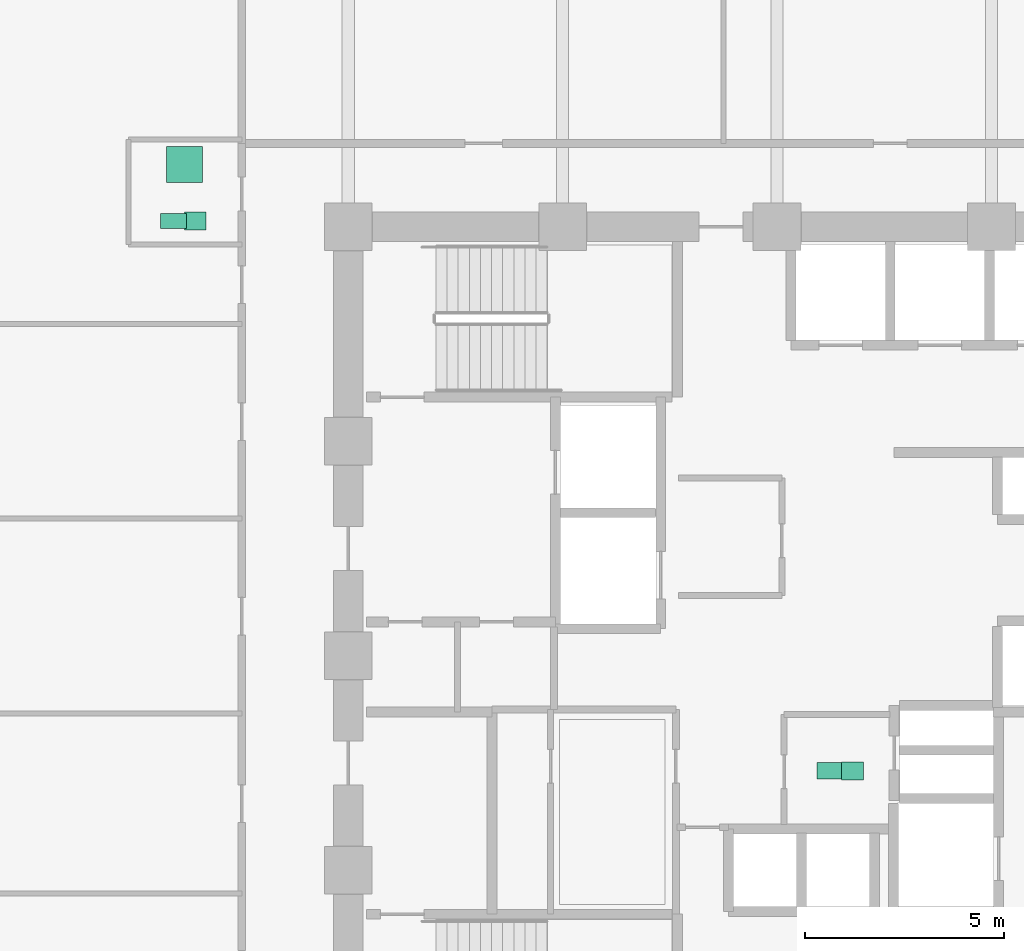
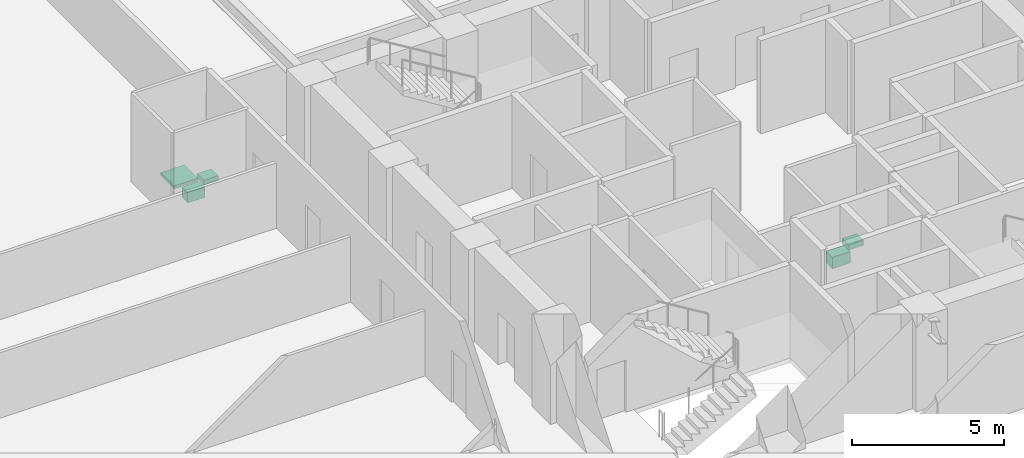
# One storey, part 25 of 25: 5 sanitary terminals.
"""IFC4 building model written with IfcOpenShell, lengths in metres."""

import ifcopenshell
import ifcopenshell.guid

model = None  # the IFC model being written
_history = None  # IfcOwnerHistory: only IFC2X3 demands one
_inside = {}  # id of a spatial element -> (the spatial element, [elements in it])
_under = {}  # id of a project, library or spatial element -> (it, [spatial elements below it])
_declared = {}  # id of a project -> (the project, [libraries it declares])
_typed = {}  # id of a type object -> (the type object, [elements of that type])
_made_of = {}  # id of a material, layer set ... -> (it, [elements and type objects made of it])


def new_model(schema):
    """Start an empty IFC model of exactly this schema.

    Asked for "IFC4X3", IfcOpenShell would pick the latest addendum, in which some entities
    have other attributes; the version numbers below select the first issue.
    IFC2X3 requires an IfcOwnerHistory on every rooted entity: one is made here for all.
    """
    global model, _history
    if schema == "IFC4X3":
        model = ifcopenshell.file(schema_version=(4, 3, 0, 0))
    else:
        model = ifcopenshell.file(schema=schema)
    _inside.clear()
    _under.clear()
    _declared.clear()
    _typed.clear()
    _made_of.clear()
    _history = None
    if model.schema == "IFC2X3":
        org = make("IfcOrganization", Name="unknown")
        user = make(
            "IfcPersonAndOrganization",
            ThePerson=make("IfcPerson", FamilyName="unknown"),
            TheOrganization=org,
        )
        app = make(
            "IfcApplication",
            ApplicationDeveloper=org,
            Version="unknown",
            ApplicationFullName="unknown",
            ApplicationIdentifier="unknown",
        )
        _history = make(
            "IfcOwnerHistory",
            OwningUser=user,
            OwningApplication=app,
            ChangeAction="ADDED",
            CreationDate=0,
        )
    return model


def make(cls, **values):
    """One entity of the class cls with the attributes given. An attribute that is None is left unset."""
    return model.create_entity(
        cls, **{name: value for name, value in values.items() if value is not None}
    )


def rooted(cls, **values):
    """An entity with a GlobalId (a new one), such as an element, a storey or a relation."""
    return make(cls, GlobalId=ifcopenshell.guid.new(), OwnerHistory=_history, **values)


def si_unit(unit_type, name, prefix=None):
    """IfcSIUnit, for example si_unit("LENGTHUNIT", "METRE", prefix="MILLI")."""
    return make("IfcSIUnit", UnitType=unit_type, Prefix=prefix, Name=name)


def assignment(units):
    """IfcUnitAssignment: the units of a project."""
    return None if units is None else make("IfcUnitAssignment", Units=units)


def point(xyz):
    """IfcCartesianPoint."""
    return None if xyz is None else make("IfcCartesianPoint", Coordinates=xyz)


def direction(xyz):
    """IfcDirection."""
    return None if xyz is None else make("IfcDirection", DirectionRatios=xyz)


def frame(location, z_axis=None, x_axis=None):
    """IfcAxis2Placement3D, a coordinate frame: its origin and axes. An axis left out is left unset."""
    return make(
        "IfcAxis2Placement3D",
        Location=point(location),
        Axis=direction(z_axis),
        RefDirection=direction(x_axis),
    )


def frame_2d(location, x_axis=None):
    """IfcAxis2Placement2D, a coordinate frame in the plane: its origin and x axis."""
    return make(
        "IfcAxis2Placement2D", Location=point(location), RefDirection=direction(x_axis)
    )


def origin():
    """The frame at (0, 0, 0) with its axes left unset."""
    return frame((0.0, 0.0, 0.0))


def origin_2d():
    """The frame at (0, 0) in the plane with its x axis left unset."""
    return frame_2d((0.0, 0.0))


def place(relative_to, where):
    """IfcLocalPlacement: puts the frame where relative to a parent placement (None: the world)."""
    return make(
        "IfcLocalPlacement", PlacementRelTo=relative_to, RelativePlacement=where
    )


def context(
    kind, dimensions, precision=None, world=None, true_north=None, identifier=None
):
    """IfcGeometricRepresentationContext, for example the 3D "Model" context."""
    return make(
        "IfcGeometricRepresentationContext",
        ContextIdentifier=identifier,
        ContextType=kind,
        CoordinateSpaceDimension=dimensions,
        Precision=precision,
        WorldCoordinateSystem=world,
        TrueNorth=true_north,
    )


def subcontext(parent, identifier, kind, view, scale=None):
    """IfcGeometricRepresentationSubContext, for example "Body" below "Model"."""
    return make(
        "IfcGeometricRepresentationSubContext",
        ContextIdentifier=identifier,
        ContextType=kind,
        ParentContext=parent,
        TargetScale=scale,
        TargetView=view,
    )


def project(units=None, contexts=None):
    """IfcProject with its units and contexts."""
    return rooted(
        "IfcProject",
        Name="project",
        RepresentationContexts=contexts,
        UnitsInContext=assignment(units),
    )


def spatial(cls, under=None, at=None, **own):
    """A site, building, storey or space (cls), placed at a placement, below another one or the project."""
    s = rooted(cls, ObjectPlacement=at, **own)
    if under is not None:
        _under.setdefault(under.id(), (under, []))[1].append(s)
    return s


def profile(cls, at=None, kind="AREA", **sizes):
    """A parametric profile (cls). Its sizes go by their IFC names, for example OverallWidth=200.0."""
    return make(cls, ProfileType=kind, Position=at, **sizes)


def rectangle(**sizes):
    """IfcRectangleProfileDef."""
    return profile("IfcRectangleProfileDef", **sizes)


def extrude(swept, where, along, depth):
    """IfcExtrudedAreaSolid: the profile swept, set in the frame where, extruded along a direction by depth."""
    return make(
        "IfcExtrudedAreaSolid",
        SweptArea=swept,
        Position=where,
        ExtrudedDirection=direction(along),
        Depth=depth,
    )


def shape(context_of_items, identifier, shape_type, items):
    """IfcShapeRepresentation: the items that make up one representation, for example the "Body"."""
    return make(
        "IfcShapeRepresentation",
        ContextOfItems=context_of_items,
        RepresentationIdentifier=identifier,
        RepresentationType=shape_type,
        Items=items,
    )


def material(Name=None, Category=None):
    """IfcMaterial."""
    return make("IfcMaterial", Name=Name, Category=Category)


def made_of(thing, what):
    """Note that an element or type object is made of a material, layer set ...; save() writes the relation."""
    if what is not None:
        _made_of.setdefault(what.id(), (what, []))[1].append(thing)
    return thing


def type_object(cls, material=None, **own):
    """A type object (cls), such as IfcWallType, which elements share."""
    return made_of(rooted(cls, **own), material)


def element(
    cls,
    number,
    at=None,
    inside=None,
    cuts=None,
    type_object=None,
    material=None,
    context=None,
    identifier="Body",
    shape_type=None,
    held_by="IfcProductDefinitionShape",
    body=None,
    shapes=None,
    **own,
):
    """One element of the class cls, such as IfcWall. Its Tag is "e" and its number.

    at: its placement. inside: the storey or other place that contains it. cuts: it is an
    opening in that element (IfcRelVoidsElement). A single representation is given by context,
    identifier, shape_type and body (its items); several are given by shapes. held_by: the class
    of the entity that holds the representations. save() writes the other relations.
    """
    e = rooted(cls, Tag="e%d" % number, ObjectPlacement=at, **own)
    if body is not None:
        shapes = [shape(context, identifier, shape_type, body)]
    if shapes is not None:
        e.Representation = make(held_by, Representations=shapes)
    if inside is not None:
        _inside.setdefault(inside.id(), (inside, []))[1].append(e)
    if cuts is not None:
        rooted(
            "IfcRelVoidsElement", RelatingBuildingElement=cuts, RelatedOpeningElement=e
        )
    if type_object is not None:
        _typed.setdefault(type_object.id(), (type_object, []))[1].append(e)
    return made_of(e, material)


def aggregate(whole, parts):
    """IfcRelAggregates: a whole, such as a stair, and the parts it consists of."""
    return rooted("IfcRelAggregates", RelatingObject=whole, RelatedObjects=parts)


def save(model, path):
    """Write the relations noted so far, then the file.

    IfcRelAggregates (storeys below a building ...), IfcRelContainedInSpatialStructure (elements
    in a storey), IfcRelDefinesByType, IfcRelAssociatesMaterial and IfcRelDeclares: one each for
    every whole, place, type object, material and project.
    """
    for whole, parts in _under.values():
        aggregate(whole, parts)
    for where, things in _inside.values():
        rooted(
            "IfcRelContainedInSpatialStructure",
            RelatedElements=things,
            RelatingStructure=where,
        )
    for kind, things in _typed.values():
        rooted("IfcRelDefinesByType", RelatedObjects=things, RelatingType=kind)
    for what, things in _made_of.values():
        rooted("IfcRelAssociatesMaterial", RelatedObjects=things, RelatingMaterial=what)
    for by, libraries in _declared.values():
        rooted("IfcRelDeclares", RelatingContext=by, RelatedDefinitions=libraries)
    model.write(path)


model = new_model("IFC4")

# Units and contexts
model_context = context("Model", 3, precision=1e-05, world=origin(), true_north=direction((0.0, 1.0)))
body_context = subcontext(model_context, "Body", "Model", "MODEL_VIEW")
ifc_project = project(units=[si_unit("LENGTHUNIT", "METRE"), si_unit("AREAUNIT", "SQUARE_METRE"), si_unit("VOLUMEUNIT", "CUBIC_METRE"), si_unit("PLANEANGLEUNIT", "RADIAN"), si_unit("MASSUNIT", "GRAM", prefix="KILO")], contexts=[model_context])

# Site, building, storey
site_placement = place(None, origin())
site = spatial("IfcSite", under=ifc_project, at=site_placement, CompositionType="ELEMENT")
building_placement = place(site_placement, origin())
building = spatial("IfcBuilding", under=site, at=building_placement, Name="Surkhivell Harbour Commons", CompositionType="ELEMENT")
storey_placement = place(building_placement, frame((0.0, 0.0, 33.75)))
storey = spatial("IfcBuildingStorey", under=building, at=storey_placement, Name="L08", CompositionType="ELEMENT", Elevation=33.75)

# Sanitary terminals
ifc_material_1 = material(Name="Vitreous china washbasin", Category="other")
sanitary_terminal_type_1 = type_object("IfcSanitaryTerminalType", Name="SAN-BSN", PredefinedType="WASHHANDBASIN", material=ifc_material_1)
for number, where, z_axis, x_axis, name in (
    (1, (1.89990234375, -2.89990234375, 0.72021484375), (0.0, 0.0, 1.0), (1.0, 0.0, 0.0), "L08 Core Accessible WC Washbasin"),
    (2, (-14.64990234375, 10.949951171875, 0.72021484375), (0.0, 0.0, 1.0), (1.0, 0.0, 0.0), "L08 West Communal Bathroom WC Washbasin"),
):
    element("IfcSanitaryTerminal", number, at=place(storey_placement, frame(where, z_axis=z_axis, x_axis=x_axis)), inside=storey, type_object=sanitary_terminal_type_1, Name=name, PredefinedType="WASHHANDBASIN", context=body_context, shape_type="SweptSolid", body=[
        extrude(rectangle(XDim=0.550048828125, YDim=0.449951171875, at=origin_2d()), origin(), (0.0, 0.0, 1.0), 0.199951171875),
    ])
ifc_material_2 = material(Name="Glazed porcelain shower tray", Category="other")
sanitary_terminal_type_2 = type_object("IfcSanitaryTerminalType", Name="SAN-SHW", PredefinedType="SHOWER", material=ifc_material_2)
sanitary_terminal_1_placement = place(storey_placement, frame((-14.919921875, 12.3701171875, 0.0), z_axis=(0.0, 0.0, 1.0), x_axis=(1.0, 0.0, 0.0)))
element("IfcSanitaryTerminal", 3, at=sanitary_terminal_1_placement, inside=storey, type_object=sanitary_terminal_type_2, Name="L08 West Communal Shower Tray", PredefinedType="SHOWER", context=body_context, shape_type="SweptSolid", body=[
    extrude(rectangle(XDim=0.89990234375, YDim=0.89990234375, at=origin_2d()), origin(), (0.0, 0.0, 1.0), 0.1201171875),
])
ifc_material_3 = material(Name="Vitreous china sanitaryware", Category="other")
sanitary_terminal_type_3 = type_object("IfcSanitaryTerminalType", Name="SAN-WC-ACC", PredefinedType="TOILETPAN", material=ifc_material_3)
sanitary_terminal_2_placement = place(storey_placement, frame((1.35009765625, -2.89990234375, 0.169921875), z_axis=(0.0, 0.0, 1.0), x_axis=(1.0, 0.0, 0.0)))
element("IfcSanitaryTerminal", 4, at=sanitary_terminal_2_placement, inside=storey, type_object=sanitary_terminal_type_3, Name="L08 Core Accessible WC", PredefinedType="TOILETPAN", context=body_context, shape_type="SweptSolid", body=[
    extrude(rectangle(XDim=0.699951171875, YDim=0.419921875, at=origin_2d()), origin(), (0.0, 0.0, 1.0), 0.4599609375),
])
sanitary_terminal_type_4 = type_object("IfcSanitaryTerminalType", Name="SAN-WC-STD", PredefinedType="TOILETPAN", material=ifc_material_3)
sanitary_terminal_3_placement = place(storey_placement, frame((-15.199951171875, 10.949951171875, 0.18994140625), z_axis=(0.0, 0.0, 1.0), x_axis=(1.0, 0.0, 0.0)))
element("IfcSanitaryTerminal", 5, at=sanitary_terminal_3_placement, inside=storey, type_object=sanitary_terminal_type_4, Name="L08 West Communal Bathroom WC", PredefinedType="TOILETPAN", context=body_context, shape_type="SweptSolid", body=[
    extrude(rectangle(XDim=0.64990234375, YDim=0.3798828125, at=origin_2d()), origin(), (0.0, 0.0, 1.0), 0.419921875),
])

save(model, "model.ifc")
